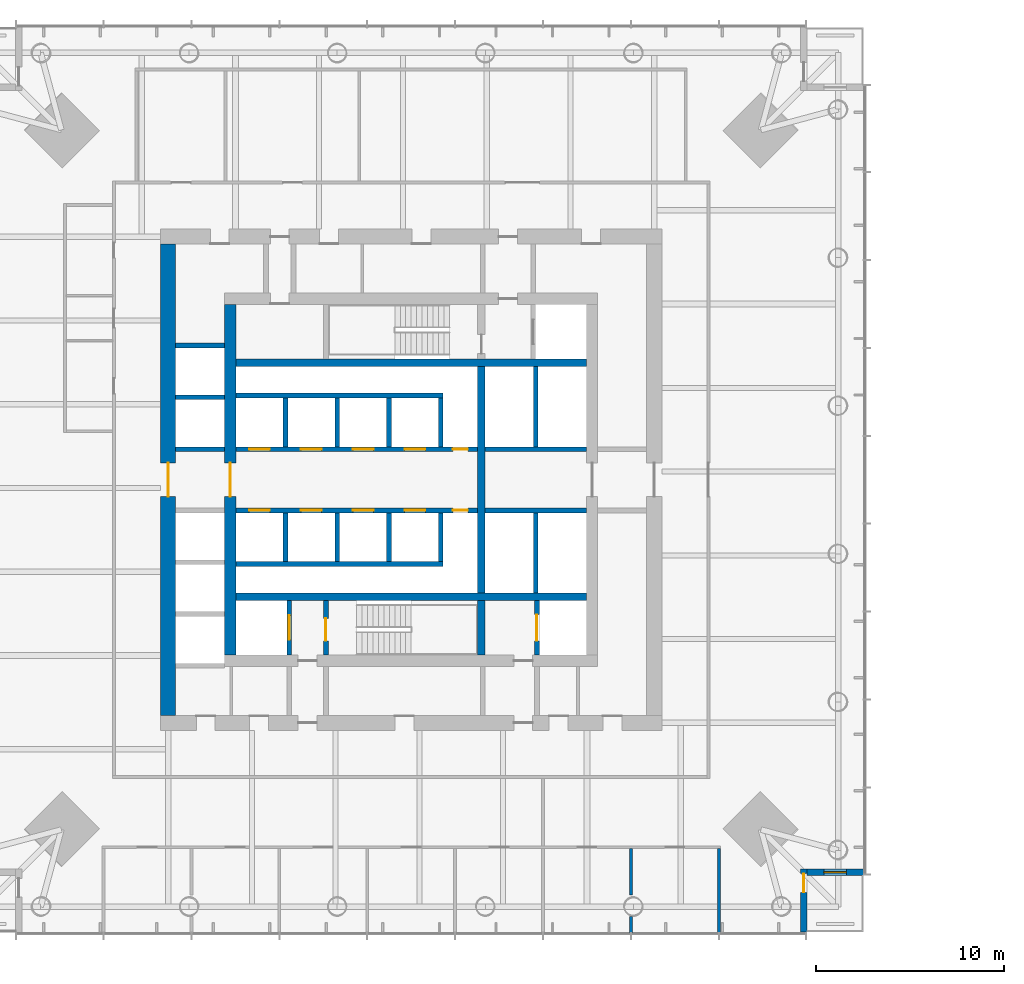
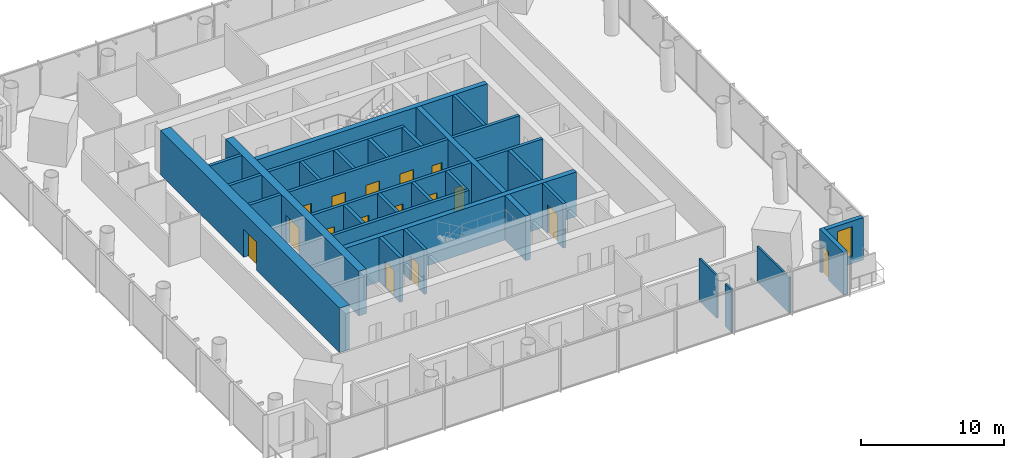
# One storey, part 10 of 22: 33 walls, 16 doors, 1 window, 17 openings.
"""IFC4 building model written with IfcOpenShell, lengths in metres."""

from ifc_helpers import new_model, si_unit, direction, frame, frame_2d, origin, place, context, subcontext, project, spatial, rectangle, extrude, material, layer, layer_set, type_object, element, fill, save


model = new_model("IFC4")

# Units and contexts
model_context = context("Model", 3, precision=1e-05, world=origin(), true_north=direction((0.0, 1.0)))
body_context = subcontext(model_context, "Body", "Model", "MODEL_VIEW")
ifc_project = project(units=[si_unit("LENGTHUNIT", "METRE"), si_unit("AREAUNIT", "SQUARE_METRE"), si_unit("VOLUMEUNIT", "CUBIC_METRE"), si_unit("PLANEANGLEUNIT", "RADIAN"), si_unit("MASSUNIT", "GRAM", prefix="KILO")], contexts=[model_context])

# Site, building, storey
site_placement = place(None, origin())
site = spatial("IfcSite", under=ifc_project, at=site_placement, CompositionType="ELEMENT")
building_placement = place(site_placement, origin())
building = spatial("IfcBuilding", under=site, at=building_placement, Name="Ostroluk Exchange", CompositionType="ELEMENT")
storey_placement = place(building_placement, frame((0.0, 0.0, 62.800048828125)))
storey = spatial("IfcBuildingStorey", under=building, at=storey_placement, Name="L15", CompositionType="ELEMENT", Elevation=62.800048828125)

# Walls
ifc_material_1 = material(Name="Concrete C50/60", Category="concrete")
ifc_layer_1 = layer(ifc_material_1, 0.39990234375)
ifc_layer_set_1 = layer_set([ifc_layer_1], Name="Core cross wall 400 C50/60")
wall_type_1 = type_object("IfcWallType", Name="Core cross wall 400 C50/60", PredefinedType="SHEAR", material=ifc_layer_set_1)
for number, where, z_axis, x_axis, name in (
    (1, (35.699951171875, 39.800048828125, 0.0), (0.0, 0.0, 1.0), (1.0, 0.0, 0.0), "T1 core wall XS"),
    (2, (35.699951171875, 52.199951171875, 0.0), (0.0, 0.0, 1.0), (1.0, 0.0, 0.0), "T1 core wall XN"),
):
    element("IfcWall", number, at=place(storey_placement, frame(where, z_axis=z_axis, x_axis=x_axis)), inside=storey, type_object=wall_type_1, Name=name, PredefinedType="SHEAR", context=body_context, shape_type="SweptSolid", body=[
        extrude(rectangle(XDim=18.60009765625, YDim=0.39990234375, at=frame_2d((9.300048828125, 0.0))), origin(), (0.0, 0.0, 1.0), 3.800048828125),
    ])
wall_1_placement = place(storey_placement, frame((48.72998046875, 36.699951171875, 0.0), z_axis=(0.0, 0.0, 1.0), x_axis=(0.0, 1.0, 0.0)))
element("IfcWall", 3, at=wall_1_placement, inside=storey, type_object=wall_type_1, Name="T1 core wall YE1", PredefinedType="SHEAR", context=body_context, shape_type="SweptSolid", body=[
    extrude(rectangle(XDim=2.900146484375, YDim=0.39990234375, at=frame_2d((1.4501953125, 0.0))), origin(), (0.0, 0.0, 1.0), 3.800048828125),
])
wall_2_placement = place(storey_placement, frame((48.72998046875, 40.0, 0.0), z_axis=(0.0, 0.0, 1.0), x_axis=(0.0, 1.0, 0.0)))
element("IfcWall", 4, at=wall_2_placement, inside=storey, type_object=wall_type_1, Name="T1 core wall YE2", PredefinedType="SHEAR", context=body_context, shape_type="SweptSolid", body=[
    extrude(rectangle(XDim=12.0, YDim=0.39990234375, at=frame_2d((6.0, 0.0))), origin(), (0.0, 0.0, 1.0), 3.800048828125),
])

# Wall, opening, door
ifc_material_2 = material(Name="Concrete C40/50", Category="concrete")
ifc_layer_2 = layer(ifc_material_2, 0.25)
ifc_layer_set_2 = layer_set([ifc_layer_2], Name="Core shaft wall 250")
wall_type_2 = type_object("IfcWallType", Name="Core shaft wall 250", PredefinedType="SHEAR", material=ifc_layer_set_2)
wall_3_placement = place(storey_placement, frame((38.52490234375, 36.699951171875, 0.0), z_axis=(0.0, 0.0, 1.0), x_axis=(0.0, 1.0, 0.0)))
wall_3 = element("IfcWall", 5, at=wall_3_placement, inside=storey, type_object=wall_type_2, Name="Firefighting lift shaft wall", PredefinedType="SHEAR", context=body_context, shape_type="SweptSolid", body=[
    extrude(rectangle(XDim=2.900146484375, YDim=0.25, at=frame_2d((1.4501953125, 0.0))), origin(), (0.0, 0.0, 1.0), 3.800048828125),
])
opening_1_placement = place(wall_3_placement, frame((0.800048828125, 0.0, 0.0)))
opening_1 = element("IfcOpeningElement", 6, at=opening_1_placement, cuts=wall_3, Name="Opening LD2", PredefinedType="OPENING", context=body_context, shape_type="SweptSolid", body=[
    extrude(rectangle(XDim=1.300048828125, YDim=2.199951171875, at=frame_2d((0.64990234375, 1.10009765625))), frame((0.0, 0.135009765625, 0.0), z_axis=(0.0, -1.0, 0.0), x_axis=(1.0, 0.0, 0.0)), (0.0, 0.0, 1.0), 0.27001953125),
])
ifc_material_3 = material(Name="Stainless steel", Category="steel")
door_type_1 = type_object("IfcDoorType", Name="Lift landing door E 60 1300 x 2200", OperationType="DOUBLE_DOOR_SLIDING", PredefinedType="DOOR", material=ifc_material_3)
door_1_placement = place(opening_1_placement, origin())
door_1 = element("IfcDoor", 7, at=door_1_placement, inside=storey, type_object=door_type_1, Name="Lift FL1 landing door", OperationType="DOUBLE_DOOR_SLIDING", OverallHeight=2.199951171875, OverallWidth=1.300048828125, PredefinedType="DOOR", context=body_context, shape_type="SweptSolid", body=[
    extrude(rectangle(XDim=1.300048828125, YDim=2.199951171875, at=frame_2d((0.64990234375, 1.10009765625))), frame((0.0, 0.02490234375, 0.0), z_axis=(0.0, -1.0, 0.0), x_axis=(1.0, 0.0, 0.0)), (0.0, 0.0, 1.0), 0.050048828125),
])
fill(opening_1, door_1)

wall_4_placement = place(storey_placement, frame((40.47509765625, 36.699951171875, 0.0), z_axis=(0.0, 0.0, 1.0), x_axis=(0.0, 1.0, 0.0)))
wall_4 = element("IfcWall", 8, at=wall_4_placement, inside=storey, type_object=wall_type_2, Name="Stair shaft wall", PredefinedType="SHEAR", context=body_context, shape_type="SweptSolid", body=[
    extrude(rectangle(XDim=2.900146484375, YDim=0.25, at=frame_2d((1.4501953125, 0.0))), origin(), (0.0, 0.0, 1.0), 3.800048828125),
])
opening_2_placement = place(wall_4_placement, frame((0.75, 0.0, 0.0)))
opening_2 = element("IfcOpeningElement", 9, at=opening_2_placement, cuts=wall_4, Name="Opening FD60S", PredefinedType="OPENING", context=body_context, shape_type="SweptSolid", body=[
    extrude(rectangle(XDim=1.199951171875, YDim=2.10009765625, at=frame_2d((0.60009765625, 1.050048828125))), frame((0.0, 0.135009765625, 0.0), z_axis=(0.0, -1.0, 0.0), x_axis=(1.0, 0.0, 0.0)), (0.0, 0.0, 1.0), 0.27001953125),
])
ifc_material_4 = material(Name="Steel", Category="steel")
door_type_2 = type_object("IfcDoorType", Name="Stair door EI 60 1200 x 2100", OperationType="SINGLE_SWING_LEFT", PredefinedType="DOOR", material=ifc_material_4)
door_2_placement = place(opening_2_placement, origin())
door_2 = element("IfcDoor", 10, at=door_2_placement, inside=storey, type_object=door_type_2, Name="Stair T1-S1 door", OperationType="SINGLE_SWING_LEFT", OverallHeight=2.10009765625, OverallWidth=1.199951171875, PredefinedType="DOOR", context=body_context, shape_type="SweptSolid", body=[
    extrude(rectangle(XDim=1.199951171875, YDim=2.10009765625, at=frame_2d((0.60009765625, 1.050048828125))), frame((0.0, 0.02490234375, 0.0), z_axis=(0.0, -1.0, 0.0), x_axis=(1.0, 0.0, 0.0)), (0.0, 0.0, 1.0), 0.050048828125),
])
fill(opening_2, door_2)

wall_5_placement = place(storey_placement, frame((51.675048828125, 36.699951171875, 0.0), z_axis=(0.0, 0.0, 1.0), x_axis=(0.0, 1.0, 0.0)))
wall_5 = element("IfcWall", 11, at=wall_5_placement, inside=storey, type_object=wall_type_2, Name="Service lift shaft wall", PredefinedType="SHEAR", context=body_context, shape_type="SweptSolid", body=[
    extrude(rectangle(XDim=2.900146484375, YDim=0.25, at=frame_2d((1.4501953125, 0.0))), origin(), (0.0, 0.0, 1.0), 3.800048828125),
])
opening_3_placement = place(wall_5_placement, frame((0.75, 0.0, 0.0)))
opening_3 = element("IfcOpeningElement", 12, at=opening_3_placement, cuts=wall_5, Name="Opening LD3", PredefinedType="OPENING", context=body_context, shape_type="SweptSolid", body=[
    extrude(rectangle(XDim=1.39990234375, YDim=2.39990234375, at=frame_2d((0.699951171875, 1.199951171875))), frame((0.0, 0.135009765625, 0.0), z_axis=(0.0, -1.0, 0.0), x_axis=(1.0, 0.0, 0.0)), (0.0, 0.0, 1.0), 0.27001953125),
])
ifc_material_5 = material(Name="Stainless steel", Category="steel")
door_type_3 = type_object("IfcDoorType", Name="Goods lift landing door E 60 1400 x 2400", OperationType="DOUBLE_DOOR_SLIDING", PredefinedType="DOOR", material=ifc_material_5)
door_3_placement = place(opening_3_placement, origin())
door_3 = element("IfcDoor", 13, at=door_3_placement, inside=storey, type_object=door_type_3, Name="Lift SL1 landing door", OperationType="DOUBLE_DOOR_SLIDING", OverallHeight=2.39990234375, OverallWidth=1.39990234375, PredefinedType="DOOR", context=body_context, shape_type="SweptSolid", body=[
    extrude(rectangle(XDim=1.39990234375, YDim=2.39990234375, at=frame_2d((0.699951171875, 1.199951171875))), frame((0.0, 0.02490234375, 0.0), z_axis=(0.0, -1.0, 0.0), x_axis=(1.0, 0.0, 0.0)), (0.0, 0.0, 1.0), 0.050048828125),
])
fill(opening_3, door_3)

# Walls
for number, where, z_axis, x_axis, name in (
    (14, (38.324951171875, 47.75, 0.0), (0.0, 0.0, 1.0), (0.0, 1.0, 0.0), "Lift shaft wall"),
    (15, (41.074951171875, 47.75, 0.0), (0.0, 0.0, 1.0), (0.0, 1.0, 0.0), "Lift shaft wall"),
    (16, (43.824951171875, 47.75, 0.0), (0.0, 0.0, 1.0), (0.0, 1.0, 0.0), "Lift shaft wall"),
    (17, (46.574951171875, 47.75, 0.0), (0.0, 0.0, 1.0), (0.0, 1.0, 0.0), "Lift shaft wall"),
):
    element("IfcWall", number, at=place(storey_placement, frame(where, z_axis=z_axis, x_axis=x_axis)), inside=storey, type_object=wall_type_2, Name=name, PredefinedType="SHEAR", context=body_context, shape_type="SweptSolid", body=[
        extrude(rectangle(XDim=2.60009765625, YDim=0.25, at=frame_2d((1.300048828125, 0.0))), origin(), (0.0, 0.0, 1.0), 3.800048828125),
    ])
wall_6_placement = place(storey_placement, frame((35.699951171875, 50.47509765625, 0.0), z_axis=(0.0, 0.0, 1.0), x_axis=(1.0, 0.0, 0.0)))
element("IfcWall", 18, at=wall_6_placement, inside=storey, type_object=wall_type_2, Name="Lift shaft wall", PredefinedType="SHEAR", context=body_context, shape_type="SweptSolid", body=[
    extrude(rectangle(XDim=11.0, YDim=0.25, at=frame_2d((5.5, 0.0))), origin(), (0.0, 0.0, 1.0), 3.800048828125),
])

# Wall, openings, doors
wall_7_placement = place(storey_placement, frame((35.699951171875, 47.625, 0.0), z_axis=(0.0, 0.0, 1.0), x_axis=(1.0, 0.0, 0.0)))
wall_7 = element("IfcWall", 19, at=wall_7_placement, inside=storey, type_object=wall_type_2, Name="Lift shaft front wall", PredefinedType="SHEAR", context=body_context, shape_type="SweptSolid", body=[
    extrude(rectangle(XDim=12.830078125, YDim=0.25, at=frame_2d((6.4150390625, 0.0))), origin(), (0.0, 0.0, 1.0), 3.800048828125),
])
opening_4_placement = place(wall_7_placement, frame((0.699951171875, 0.0, 0.0)))
opening_4 = element("IfcOpeningElement", 20, at=opening_4_placement, cuts=wall_7, Name="Opening LD", PredefinedType="OPENING", context=body_context, shape_type="SweptSolid", body=[
    extrude(rectangle(XDim=1.10009765625, YDim=2.199951171875, at=frame_2d((0.550048828125, 1.10009765625))), frame((0.0, 0.135009765625, 0.0), z_axis=(0.0, -1.0, 0.0), x_axis=(1.0, 0.0, 0.0)), (0.0, 0.0, 1.0), 0.27001953125),
])
opening_5_placement = place(wall_7_placement, frame((3.449951171875, 0.0, 0.0)))
opening_5 = element("IfcOpeningElement", 21, at=opening_5_placement, cuts=wall_7, Name="Opening LD", PredefinedType="OPENING", context=body_context, shape_type="SweptSolid", body=[
    extrude(rectangle(XDim=1.10009765625, YDim=2.199951171875, at=frame_2d((0.550048828125, 1.10009765625))), frame((0.0, 0.135009765625, 0.0), z_axis=(0.0, -1.0, 0.0), x_axis=(1.0, 0.0, 0.0)), (0.0, 0.0, 1.0), 0.27001953125),
])
opening_6_placement = place(wall_7_placement, frame((6.199951171875, 0.0, 0.0)))
opening_6 = element("IfcOpeningElement", 22, at=opening_6_placement, cuts=wall_7, Name="Opening LD", PredefinedType="OPENING", context=body_context, shape_type="SweptSolid", body=[
    extrude(rectangle(XDim=1.10009765625, YDim=2.199951171875, at=frame_2d((0.550048828125, 1.10009765625))), frame((0.0, 0.135009765625, 0.0), z_axis=(0.0, -1.0, 0.0), x_axis=(1.0, 0.0, 0.0)), (0.0, 0.0, 1.0), 0.27001953125),
])
opening_7_placement = place(wall_7_placement, frame((8.949951171875, 0.0, 0.0)))
opening_7 = element("IfcOpeningElement", 23, at=opening_7_placement, cuts=wall_7, Name="Opening LD", PredefinedType="OPENING", context=body_context, shape_type="SweptSolid", body=[
    extrude(rectangle(XDim=1.10009765625, YDim=2.199951171875, at=frame_2d((0.550048828125, 1.10009765625))), frame((0.0, 0.135009765625, 0.0), z_axis=(0.0, -1.0, 0.0), x_axis=(1.0, 0.0, 0.0)), (0.0, 0.0, 1.0), 0.27001953125),
])
opening_8_placement = place(wall_7_placement, frame((11.514892578125, 0.0, 0.0)))
opening_8 = element("IfcOpeningElement", 24, at=opening_8_placement, cuts=wall_7, Name="Opening RD60", PredefinedType="OPENING", context=body_context, shape_type="SweptSolid", body=[
    extrude(rectangle(XDim=0.800048828125, YDim=2.0, at=frame_2d((0.39990234375, 1.0))), frame((0.0, 0.135009765625, 0.0), z_axis=(0.0, -1.0, 0.0), x_axis=(1.0, 0.0, 0.0)), (0.0, 0.0, 1.0), 0.27001953125),
])
ifc_material_6 = material(Name="Stainless steel", Category="steel")
door_type_4 = type_object("IfcDoorType", Name="Lift landing door E 60 1100 x 2200", OperationType="DOUBLE_DOOR_SLIDING", PredefinedType="DOOR", material=ifc_material_6)
door_4_placement = place(opening_4_placement, origin())
door_4 = element("IfcDoor", 25, at=door_4_placement, inside=storey, type_object=door_type_4, Name="Lift PL-L1 landing door", OperationType="DOUBLE_DOOR_SLIDING", OverallHeight=2.199951171875, OverallWidth=1.10009765625, PredefinedType="DOOR", context=body_context, shape_type="SweptSolid", body=[
    extrude(rectangle(XDim=1.10009765625, YDim=2.199951171875, at=frame_2d((0.550048828125, 1.10009765625))), frame((0.0, 0.02490234375, 0.0), z_axis=(0.0, -1.0, 0.0), x_axis=(1.0, 0.0, 0.0)), (0.0, 0.0, 1.0), 0.050048828125),
])
fill(opening_4, door_4)
door_5_placement = place(opening_5_placement, origin())
door_5 = element("IfcDoor", 26, at=door_5_placement, inside=storey, type_object=door_type_4, Name="Lift PL-L2 landing door", OperationType="DOUBLE_DOOR_SLIDING", OverallHeight=2.199951171875, OverallWidth=1.10009765625, PredefinedType="DOOR", context=body_context, shape_type="SweptSolid", body=[
    extrude(rectangle(XDim=1.10009765625, YDim=2.199951171875, at=frame_2d((0.550048828125, 1.10009765625))), frame((0.0, 0.02490234375, 0.0), z_axis=(0.0, -1.0, 0.0), x_axis=(1.0, 0.0, 0.0)), (0.0, 0.0, 1.0), 0.050048828125),
])
fill(opening_5, door_5)
door_6_placement = place(opening_6_placement, origin())
door_6 = element("IfcDoor", 27, at=door_6_placement, inside=storey, type_object=door_type_4, Name="Lift PL-L3 landing door", OperationType="DOUBLE_DOOR_SLIDING", OverallHeight=2.199951171875, OverallWidth=1.10009765625, PredefinedType="DOOR", context=body_context, shape_type="SweptSolid", body=[
    extrude(rectangle(XDim=1.10009765625, YDim=2.199951171875, at=frame_2d((0.550048828125, 1.10009765625))), frame((0.0, 0.02490234375, 0.0), z_axis=(0.0, -1.0, 0.0), x_axis=(1.0, 0.0, 0.0)), (0.0, 0.0, 1.0), 0.050048828125),
])
fill(opening_6, door_6)
door_7_placement = place(opening_7_placement, origin())
door_7 = element("IfcDoor", 28, at=door_7_placement, inside=storey, type_object=door_type_4, Name="Lift PL-L4 landing door", OperationType="DOUBLE_DOOR_SLIDING", OverallHeight=2.199951171875, OverallWidth=1.10009765625, PredefinedType="DOOR", context=body_context, shape_type="SweptSolid", body=[
    extrude(rectangle(XDim=1.10009765625, YDim=2.199951171875, at=frame_2d((0.550048828125, 1.10009765625))), frame((0.0, 0.02490234375, 0.0), z_axis=(0.0, -1.0, 0.0), x_axis=(1.0, 0.0, 0.0)), (0.0, 0.0, 1.0), 0.050048828125),
])
fill(opening_7, door_7)
ifc_material_7 = material(Name="Steel", Category="steel")
door_type_5 = type_object("IfcDoorType", Name="Riser access door EI 60 800 x 2000", OperationType="SINGLE_SWING_LEFT", PredefinedType="DOOR", material=ifc_material_7)
door_8_placement = place(opening_8_placement, origin())
door_8 = element("IfcDoor", 29, at=door_8_placement, inside=storey, type_object=door_type_5, Name="Riser access door", OperationType="SINGLE_SWING_RIGHT", OverallHeight=2.0, OverallWidth=0.800048828125, PredefinedType="DOOR", context=body_context, shape_type="SweptSolid", body=[
    extrude(rectangle(XDim=0.800048828125, YDim=2.0, at=frame_2d((0.39990234375, 1.0))), frame((0.0, 0.02490234375, 0.0), z_axis=(0.0, -1.0, 0.0), x_axis=(1.0, 0.0, 0.0)), (0.0, 0.0, 1.0), 0.050048828125),
])
fill(opening_8, door_8)

# Walls
for number, where, z_axis, x_axis, name in (
    (30, (38.324951171875, 44.25, 0.0), (0.0, 0.0, 1.0), (0.0, -1.0, 0.0), "Lift shaft wall"),
    (31, (41.074951171875, 44.25, 0.0), (0.0, 0.0, 1.0), (0.0, -1.0, 0.0), "Lift shaft wall"),
    (32, (43.824951171875, 44.25, 0.0), (0.0, 0.0, 1.0), (0.0, -1.0, 0.0), "Lift shaft wall"),
    (33, (46.574951171875, 44.25, 0.0), (0.0, 0.0, 1.0), (0.0, -1.0, 0.0), "Lift shaft wall"),
):
    element("IfcWall", number, at=place(storey_placement, frame(where, z_axis=z_axis, x_axis=x_axis)), inside=storey, type_object=wall_type_2, Name=name, PredefinedType="SHEAR", context=body_context, shape_type="SweptSolid", body=[
        extrude(rectangle(XDim=2.60009765625, YDim=0.25, at=frame_2d((1.300048828125, 0.0))), origin(), (0.0, 0.0, 1.0), 3.800048828125),
    ])
wall_8_placement = place(storey_placement, frame((35.699951171875, 41.52490234375, 0.0), z_axis=(0.0, 0.0, 1.0), x_axis=(1.0, 0.0, 0.0)))
element("IfcWall", 34, at=wall_8_placement, inside=storey, type_object=wall_type_2, Name="Lift shaft wall", PredefinedType="SHEAR", context=body_context, shape_type="SweptSolid", body=[
    extrude(rectangle(XDim=11.0, YDim=0.25, at=frame_2d((5.5, 0.0))), origin(), (0.0, 0.0, 1.0), 3.800048828125),
])

# Wall, openings, doors
wall_9_placement = place(storey_placement, frame((35.699951171875, 44.375, 0.0), z_axis=(0.0, 0.0, 1.0), x_axis=(1.0, 0.0, 0.0)))
wall_9 = element("IfcWall", 35, at=wall_9_placement, inside=storey, type_object=wall_type_2, Name="Lift shaft front wall", PredefinedType="SHEAR", context=body_context, shape_type="SweptSolid", body=[
    extrude(rectangle(XDim=12.830078125, YDim=0.25, at=frame_2d((6.4150390625, 0.0))), origin(), (0.0, 0.0, 1.0), 3.800048828125),
])
opening_9_placement = place(wall_9_placement, frame((0.699951171875, 0.0, 0.0)))
opening_9 = element("IfcOpeningElement", 36, at=opening_9_placement, cuts=wall_9, Name="Opening LD", PredefinedType="OPENING", context=body_context, shape_type="SweptSolid", body=[
    extrude(rectangle(XDim=1.10009765625, YDim=2.199951171875, at=frame_2d((0.550048828125, 1.10009765625))), frame((0.0, 0.135009765625, 0.0), z_axis=(0.0, -1.0, 0.0), x_axis=(1.0, 0.0, 0.0)), (0.0, 0.0, 1.0), 0.27001953125),
])
opening_10_placement = place(wall_9_placement, frame((3.449951171875, 0.0, 0.0)))
opening_10 = element("IfcOpeningElement", 37, at=opening_10_placement, cuts=wall_9, Name="Opening LD", PredefinedType="OPENING", context=body_context, shape_type="SweptSolid", body=[
    extrude(rectangle(XDim=1.10009765625, YDim=2.199951171875, at=frame_2d((0.550048828125, 1.10009765625))), frame((0.0, 0.135009765625, 0.0), z_axis=(0.0, -1.0, 0.0), x_axis=(1.0, 0.0, 0.0)), (0.0, 0.0, 1.0), 0.27001953125),
])
opening_11_placement = place(wall_9_placement, frame((6.199951171875, 0.0, 0.0)))
opening_11 = element("IfcOpeningElement", 38, at=opening_11_placement, cuts=wall_9, Name="Opening LD", PredefinedType="OPENING", context=body_context, shape_type="SweptSolid", body=[
    extrude(rectangle(XDim=1.10009765625, YDim=2.199951171875, at=frame_2d((0.550048828125, 1.10009765625))), frame((0.0, 0.135009765625, 0.0), z_axis=(0.0, -1.0, 0.0), x_axis=(1.0, 0.0, 0.0)), (0.0, 0.0, 1.0), 0.27001953125),
])
opening_12_placement = place(wall_9_placement, frame((8.949951171875, 0.0, 0.0)))
opening_12 = element("IfcOpeningElement", 39, at=opening_12_placement, cuts=wall_9, Name="Opening LD", PredefinedType="OPENING", context=body_context, shape_type="SweptSolid", body=[
    extrude(rectangle(XDim=1.10009765625, YDim=2.199951171875, at=frame_2d((0.550048828125, 1.10009765625))), frame((0.0, 0.135009765625, 0.0), z_axis=(0.0, -1.0, 0.0), x_axis=(1.0, 0.0, 0.0)), (0.0, 0.0, 1.0), 0.27001953125),
])
opening_13_placement = place(wall_9_placement, frame((11.514892578125, 0.0, 0.0)))
opening_13 = element("IfcOpeningElement", 40, at=opening_13_placement, cuts=wall_9, Name="Opening RD60", PredefinedType="OPENING", context=body_context, shape_type="SweptSolid", body=[
    extrude(rectangle(XDim=0.800048828125, YDim=2.0, at=frame_2d((0.39990234375, 1.0))), frame((0.0, 0.135009765625, 0.0), z_axis=(0.0, -1.0, 0.0), x_axis=(1.0, 0.0, 0.0)), (0.0, 0.0, 1.0), 0.27001953125),
])
door_9_placement = place(opening_9_placement, origin())
door_9 = element("IfcDoor", 41, at=door_9_placement, inside=storey, type_object=door_type_4, Name="Lift PL-L5 landing door", OperationType="DOUBLE_DOOR_SLIDING", OverallHeight=2.199951171875, OverallWidth=1.10009765625, PredefinedType="DOOR", context=body_context, shape_type="SweptSolid", body=[
    extrude(rectangle(XDim=1.10009765625, YDim=2.199951171875, at=frame_2d((0.550048828125, 1.10009765625))), frame((0.0, 0.02490234375, 0.0), z_axis=(0.0, -1.0, 0.0), x_axis=(1.0, 0.0, 0.0)), (0.0, 0.0, 1.0), 0.050048828125),
])
fill(opening_9, door_9)
door_10_placement = place(opening_10_placement, origin())
door_10 = element("IfcDoor", 42, at=door_10_placement, inside=storey, type_object=door_type_4, Name="Lift PL-L6 landing door", OperationType="DOUBLE_DOOR_SLIDING", OverallHeight=2.199951171875, OverallWidth=1.10009765625, PredefinedType="DOOR", context=body_context, shape_type="SweptSolid", body=[
    extrude(rectangle(XDim=1.10009765625, YDim=2.199951171875, at=frame_2d((0.550048828125, 1.10009765625))), frame((0.0, 0.02490234375, 0.0), z_axis=(0.0, -1.0, 0.0), x_axis=(1.0, 0.0, 0.0)), (0.0, 0.0, 1.0), 0.050048828125),
])
fill(opening_10, door_10)
door_11_placement = place(opening_11_placement, origin())
door_11 = element("IfcDoor", 43, at=door_11_placement, inside=storey, type_object=door_type_4, Name="Lift PL-L7 landing door", OperationType="DOUBLE_DOOR_SLIDING", OverallHeight=2.199951171875, OverallWidth=1.10009765625, PredefinedType="DOOR", context=body_context, shape_type="SweptSolid", body=[
    extrude(rectangle(XDim=1.10009765625, YDim=2.199951171875, at=frame_2d((0.550048828125, 1.10009765625))), frame((0.0, 0.02490234375, 0.0), z_axis=(0.0, -1.0, 0.0), x_axis=(1.0, 0.0, 0.0)), (0.0, 0.0, 1.0), 0.050048828125),
])
fill(opening_11, door_11)
door_12_placement = place(opening_12_placement, origin())
door_12 = element("IfcDoor", 44, at=door_12_placement, inside=storey, type_object=door_type_4, Name="Lift PL-L8 landing door", OperationType="DOUBLE_DOOR_SLIDING", OverallHeight=2.199951171875, OverallWidth=1.10009765625, PredefinedType="DOOR", context=body_context, shape_type="SweptSolid", body=[
    extrude(rectangle(XDim=1.10009765625, YDim=2.199951171875, at=frame_2d((0.550048828125, 1.10009765625))), frame((0.0, 0.02490234375, 0.0), z_axis=(0.0, -1.0, 0.0), x_axis=(1.0, 0.0, 0.0)), (0.0, 0.0, 1.0), 0.050048828125),
])
fill(opening_12, door_12)
door_13_placement = place(opening_13_placement, origin())
door_13 = element("IfcDoor", 45, at=door_13_placement, inside=storey, type_object=door_type_5, Name="Riser access door", OperationType="SINGLE_SWING_RIGHT", OverallHeight=2.0, OverallWidth=0.800048828125, PredefinedType="DOOR", context=body_context, shape_type="SweptSolid", body=[
    extrude(rectangle(XDim=0.800048828125, YDim=2.0, at=frame_2d((0.39990234375, 1.0))), frame((0.0, 0.02490234375, 0.0), z_axis=(0.0, -1.0, 0.0), x_axis=(1.0, 0.0, 0.0)), (0.0, 0.0, 1.0), 0.050048828125),
])
fill(opening_13, door_13)

# Walls
wall_10_placement = place(storey_placement, frame((51.614990234375, 47.75, 0.0), z_axis=(0.0, 0.0, 1.0), x_axis=(0.0, 1.0, 0.0)))
element("IfcWall", 46, at=wall_10_placement, inside=storey, type_object=wall_type_2, Name="Lift shaft wall", PredefinedType="SHEAR", context=body_context, shape_type="SweptSolid", body=[
    extrude(rectangle(XDim=4.25, YDim=0.25, at=frame_2d((2.125, 0.0))), origin(), (0.0, 0.0, 1.0), 3.800048828125),
])
wall_11_placement = place(storey_placement, frame((48.929931640625, 47.625, 0.0), z_axis=(0.0, 0.0, 1.0), x_axis=(1.0, 0.0, 0.0)))
element("IfcWall", 47, at=wall_11_placement, inside=storey, type_object=wall_type_2, Name="Lift shaft front wall", PredefinedType="SHEAR", context=body_context, shape_type="SweptSolid", body=[
    extrude(rectangle(XDim=5.3701171875, YDim=0.25, at=frame_2d((2.68505859375, 0.0))), origin(), (0.0, 0.0, 1.0), 3.800048828125),
])
wall_12_placement = place(storey_placement, frame((51.614990234375, 44.25, 0.0), z_axis=(0.0, 0.0, 1.0), x_axis=(0.0, -1.0, 0.0)))
element("IfcWall", 48, at=wall_12_placement, inside=storey, type_object=wall_type_2, Name="Lift shaft wall", PredefinedType="SHEAR", context=body_context, shape_type="SweptSolid", body=[
    extrude(rectangle(XDim=4.25, YDim=0.25, at=frame_2d((2.125, 0.0))), origin(), (0.0, 0.0, 1.0), 3.800048828125),
])
wall_13_placement = place(storey_placement, frame((48.929931640625, 44.375, 0.0), z_axis=(0.0, 0.0, 1.0), x_axis=(1.0, 0.0, 0.0)))
element("IfcWall", 49, at=wall_13_placement, inside=storey, type_object=wall_type_2, Name="Lift shaft front wall", PredefinedType="SHEAR", context=body_context, shape_type="SweptSolid", body=[
    extrude(rectangle(XDim=5.3701171875, YDim=0.25, at=frame_2d((2.68505859375, 0.0))), origin(), (0.0, 0.0, 1.0), 3.800048828125),
])
for number, where, z_axis, x_axis, name in (
    (50, (32.5, 47.625, 0.0), (0.0, 0.0, 1.0), (1.0, 0.0, 0.0), "Lift shaft wall"),
    (51, (32.5, 50.375, 0.0), (0.0, 0.0, 1.0), (1.0, 0.0, 0.0), "Lift shaft wall"),
    (52, (32.5, 53.125, 0.0), (0.0, 0.0, 1.0), (1.0, 0.0, 0.0), "Lift shaft wall"),
):
    element("IfcWall", number, at=place(storey_placement, frame(where, z_axis=z_axis, x_axis=x_axis)), inside=storey, type_object=wall_type_2, Name=name, PredefinedType="SHEAR", context=body_context, shape_type="SweptSolid", body=[
        extrude(rectangle(XDim=2.60009765625, YDim=0.25, at=frame_2d((1.300048828125, 0.0))), origin(), (0.0, 0.0, 1.0), 3.800048828125),
    ])

# Wall, opening, door
ifc_material_8 = material(Name="Concrete C50/60", Category="concrete")
ifc_layer_3 = layer(ifc_material_8, 0.60009765625)
ifc_layer_set_3 = layer_set([ifc_layer_3], Name="Core wall 600 C50/60")
wall_type_3 = type_object("IfcWallType", Name="Core wall 600 C50/60", PredefinedType="SHEAR", material=ifc_layer_set_3)
wall_14_placement = place(storey_placement, frame((35.39990234375, 36.699951171875, 0.0), z_axis=(0.0, 0.0, 1.0), x_axis=(0.0, 1.0, 0.0)))
wall_14 = element("IfcWall", 53, at=wall_14_placement, inside=storey, type_object=wall_type_3, Name="T1 core wall W", PredefinedType="SHEAR", context=body_context, shape_type="SweptSolid", body=[
    extrude(rectangle(XDim=18.60009765625, YDim=0.60009765625, at=frame_2d((9.300048828125, 0.0))), origin(), (0.0, 0.0, 1.0), 3.800048828125),
])
opening_14_placement = place(wall_14_placement, frame((8.39990234375, 0.0, 0.0)))
opening_14 = element("IfcOpeningElement", 54, at=opening_14_placement, cuts=wall_14, Name="Opening FD30D", PredefinedType="OPENING", context=body_context, shape_type="SweptSolid", body=[
    extrude(rectangle(XDim=1.800048828125, YDim=2.39990234375, at=frame_2d((0.89990234375, 1.199951171875))), frame((0.0, 0.31005859375, 0.0), z_axis=(0.0, -1.0, 0.0), x_axis=(1.0, 0.0, 0.0)), (0.0, 0.0, 1.0), 0.6201171875),
])
ifc_material_9 = material(Name="Timber", Category="wood")
door_type_6 = type_object("IfcDoorType", Name="Lobby double door EI 30 1800 x 2400", OperationType="DOUBLE_DOOR_SINGLE_SWING", PredefinedType="DOOR", material=ifc_material_9)
door_14_placement = place(opening_14_placement, origin())
door_14 = element("IfcDoor", 55, at=door_14_placement, inside=storey, type_object=door_type_6, Name="Lift lobby doors", OperationType="DOUBLE_DOOR_SINGLE_SWING", OverallHeight=2.39990234375, OverallWidth=1.800048828125, PredefinedType="DOOR", context=body_context, shape_type="SweptSolid", body=[
    extrude(rectangle(XDim=1.800048828125, YDim=2.39990234375, at=frame_2d((0.89990234375, 1.199951171875))), frame((0.0, 0.02490234375, 0.0), z_axis=(0.0, -1.0, 0.0), x_axis=(1.0, 0.0, 0.0)), (0.0, 0.0, 1.0), 0.050048828125),
])
fill(opening_14, door_14)

ifc_material_10 = material(Name="Concrete C50/60", Category="concrete")
ifc_layer_4 = layer(ifc_material_10, 0.800048828125)
ifc_layer_set_4 = layer_set([ifc_layer_4], Name="Core wall 800 C50/60")
wall_type_4 = type_object("IfcWallType", Name="Core wall 800 C50/60", PredefinedType="SHEAR", material=ifc_layer_set_4)
wall_15_placement = place(storey_placement, frame((32.10009765625, 33.5, 0.0), z_axis=(0.0, 0.0, 1.0), x_axis=(0.0, 1.0, 0.0)))
wall_15 = element("IfcWall", 56, at=wall_15_placement, inside=storey, type_object=wall_type_4, Name="T1 core wall RW", PredefinedType="SHEAR", context=body_context, shape_type="SweptSolid", body=[
    extrude(rectangle(XDim=25.0, YDim=0.800048828125, at=frame_2d((12.5, 0.0))), origin(), (0.0, 0.0, 1.0), 3.800048828125),
])
opening_15_placement = place(wall_15_placement, frame((11.60009765625, 0.0, 0.0)))
opening_15 = element("IfcOpeningElement", 57, at=opening_15_placement, cuts=wall_15, Name="Opening FD30D", PredefinedType="OPENING", context=body_context, shape_type="SweptSolid", body=[
    extrude(rectangle(XDim=1.800048828125, YDim=2.39990234375, at=frame_2d((0.89990234375, 1.199951171875))), frame((0.0, 0.409912109375, 0.0), z_axis=(0.0, -1.0, 0.0), x_axis=(1.0, 0.0, 0.0)), (0.0, 0.0, 1.0), 0.820068359375),
])
door_15_placement = place(opening_15_placement, origin())
door_15 = element("IfcDoor", 58, at=door_15_placement, inside=storey, type_object=door_type_6, Name="Lift lobby doors", OperationType="DOUBLE_DOOR_SINGLE_SWING", OverallHeight=2.39990234375, OverallWidth=1.800048828125, PredefinedType="DOOR", context=body_context, shape_type="SweptSolid", body=[
    extrude(rectangle(XDim=1.800048828125, YDim=2.39990234375, at=frame_2d((0.89990234375, 1.199951171875))), frame((0.0, 0.02490234375, 0.0), z_axis=(0.0, -1.0, 0.0), x_axis=(1.0, 0.0, 0.0)), (0.0, 0.0, 1.0), 0.050048828125),
])
fill(opening_15, door_15)

ifc_material_11 = material(Name="Limestone", Category="masonry")
ifc_layer_5 = layer(ifc_material_11, 0.35009765625)
ifc_layer_set_5 = layer_set([ifc_layer_5], Name="Limestone facade wall 350")
wall_type_5 = type_object("IfcWallType", Name="Limestone facade wall 350", PredefinedType="SOLIDWALL", material=ifc_layer_set_5)
wall_16_placement = place(storey_placement, frame((65.824951171875, 22.0, 0.0), z_axis=(0.0, 0.0, 1.0), x_axis=(0.0, 1.0, 0.0)))
wall_16 = element("IfcWall", 59, at=wall_16_placement, inside=storey, type_object=wall_type_5, Name="Office tower SE corner wall L15 a", PredefinedType="SOLIDWALL", context=body_context, shape_type="SweptSolid", body=[
    extrude(rectangle(XDim=3.35009765625, YDim=0.35009765625, at=frame_2d((1.675048828125, 0.0))), origin(), (0.0, 0.0, 1.0), 3.619873046875),
])
opening_16_placement = place(wall_16_placement, frame((2.10009765625, 0.0, 0.0)))
opening_16 = element("IfcOpeningElement", 60, at=opening_16_placement, cuts=wall_16, Name="Opening D-B1", PredefinedType="OPENING", context=body_context, shape_type="SweptSolid", body=[
    extrude(rectangle(XDim=1.0, YDim=2.39990234375, at=frame_2d((0.5, 1.199951171875))), frame((0.0, 0.18505859375, 0.0), z_axis=(0.0, -1.0, 0.0), x_axis=(1.0, 0.0, 0.0)), (0.0, 0.0, 1.0), 0.3701171875),
])
ifc_material_12 = material(Name="Bronze framed glazed door", Category="aluminium")
door_type_7 = type_object("IfcDoorType", Name="Balcony door 1000 x 2400", OperationType="SINGLE_SWING_LEFT", PredefinedType="DOOR", material=ifc_material_12)
door_16_placement = place(opening_16_placement, origin())
door_16 = element("IfcDoor", 61, at=door_16_placement, inside=storey, type_object=door_type_7, Name="Office tower SE balcony door L15", OperationType="SINGLE_SWING_RIGHT", OverallHeight=2.39990234375, OverallWidth=1.0, PredefinedType="DOOR", context=body_context, shape_type="SweptSolid", body=[
    extrude(rectangle(XDim=1.0, YDim=2.39990234375, at=frame_2d((0.5, 1.199951171875))), frame((0.0, 0.02490234375, 0.0), z_axis=(0.0, -1.0, 0.0), x_axis=(1.0, 0.0, 0.0)), (0.0, 0.0, 1.0), 0.050048828125),
])
fill(opening_16, door_16)

# Wall, opening, window
wall_17_placement = place(storey_placement, frame((66.0, 25.175048828125, 0.0), z_axis=(0.0, 0.0, 1.0), x_axis=(1.0, 0.0, 0.0)))
wall_17 = element("IfcWall", 62, at=wall_17_placement, inside=storey, type_object=wall_type_5, Name="Office tower SE corner wall L15 b", PredefinedType="SOLIDWALL", context=body_context, shape_type="SweptSolid", body=[
    extrude(rectangle(XDim=3.0, YDim=0.35009765625, at=frame_2d((1.5, 0.0))), origin(), (0.0, 0.0, 1.0), 3.619873046875),
])
opening_17_placement = place(wall_17_placement, frame((0.89990234375, 0.0, 0.60009765625)))
opening_17 = element("IfcOpeningElement", 63, at=opening_17_placement, cuts=wall_17, Name="Opening WN-L1", PredefinedType="OPENING", context=body_context, shape_type="SweptSolid", body=[
    extrude(rectangle(XDim=1.199951171875, YDim=2.550048828125, at=frame_2d((0.60009765625, 1.27490234375))), frame((0.0, 0.18505859375, 0.0), z_axis=(0.0, -1.0, 0.0), x_axis=(1.0, 0.0, 0.0)), (0.0, 0.0, 1.0), 0.3701171875),
])
ifc_material_13 = material(Name="Laminated clear glass", Category="glass")
window_type = type_object("IfcWindowType", Name="Lancet window 1200 x 2550", PartitioningType="SINGLE_PANEL", PredefinedType="WINDOW", material=ifc_material_13)
window_placement = place(opening_17_placement, origin())
window = element("IfcWindow", 64, at=window_placement, inside=storey, type_object=window_type, Name="Office tower SE lancet window L15", OverallHeight=2.550048828125, OverallWidth=1.199951171875, PartitioningType="SINGLE_PANEL", PredefinedType="WINDOW", context=body_context, shape_type="SweptSolid", body=[
    extrude(rectangle(XDim=1.199951171875, YDim=2.550048828125, at=frame_2d((0.60009765625, 1.27490234375))), frame((0.0, 0.030029296875, 0.0), z_axis=(0.0, -1.0, 0.0), x_axis=(1.0, 0.0, 0.0)), (0.0, 0.0, 1.0), 0.06005859375),
])
fill(opening_17, window)

# Walls
ifc_material_14 = material(Name="Gypsum plasterboard partition", Category="gypsum")
ifc_layer_6 = layer(ifc_material_14, 0.14990234375)
ifc_layer_set_6 = layer_set([ifc_layer_6], Name="Plasterboard partition 150")
wall_type_6 = type_object("IfcWallType", Name="Plasterboard partition 150", PredefinedType="PARTITIONING", material=ifc_layer_set_6)
wall_18_placement = place(storey_placement, frame((56.666748046875, 26.425048828125, 0.0), z_axis=(0.0, 0.0, 1.0), x_axis=(0.0, -1.0, 0.0)))
element("IfcWall", 65, at=wall_18_placement, inside=storey, type_object=wall_type_6, Name="Partition", PredefinedType="PARTITIONING", context=body_context, shape_type="SweptSolid", body=[
    extrude(rectangle(XDim=2.4599609375, YDim=0.14990234375, at=frame_2d((1.22998046875, 0.0))), origin(), (0.0, 0.0, 1.0), 3.619873046875),
])
wall_19_placement = place(storey_placement, frame((56.666748046875, 22.82763671875, 0.0), z_axis=(0.0, 0.0, 1.0), x_axis=(0.0, -1.0, 0.0)))
element("IfcWall", 66, at=wall_19_placement, inside=storey, type_object=wall_type_6, Name="Partition", PredefinedType="PARTITIONING", context=body_context, shape_type="SweptSolid", body=[
    extrude(rectangle(XDim=0.86767578125, YDim=0.14990234375, at=frame_2d((0.433837890625, 0.0))), origin(), (0.0, 0.0, 1.0), 3.619873046875),
])
wall_20_placement = place(storey_placement, frame((61.333251953125, 26.425048828125, 0.0), z_axis=(0.0, 0.0, 1.0), x_axis=(0.0, -1.0, 0.0)))
element("IfcWall", 67, at=wall_20_placement, inside=storey, type_object=wall_type_6, Name="Partition", PredefinedType="PARTITIONING", context=body_context, shape_type="SweptSolid", body=[
    extrude(rectangle(XDim=4.465087890625, YDim=0.14990234375, at=frame_2d((2.232421875, 0.0))), origin(), (0.0, 0.0, 1.0), 3.02001953125),
])

save(model, "model.ifc")
